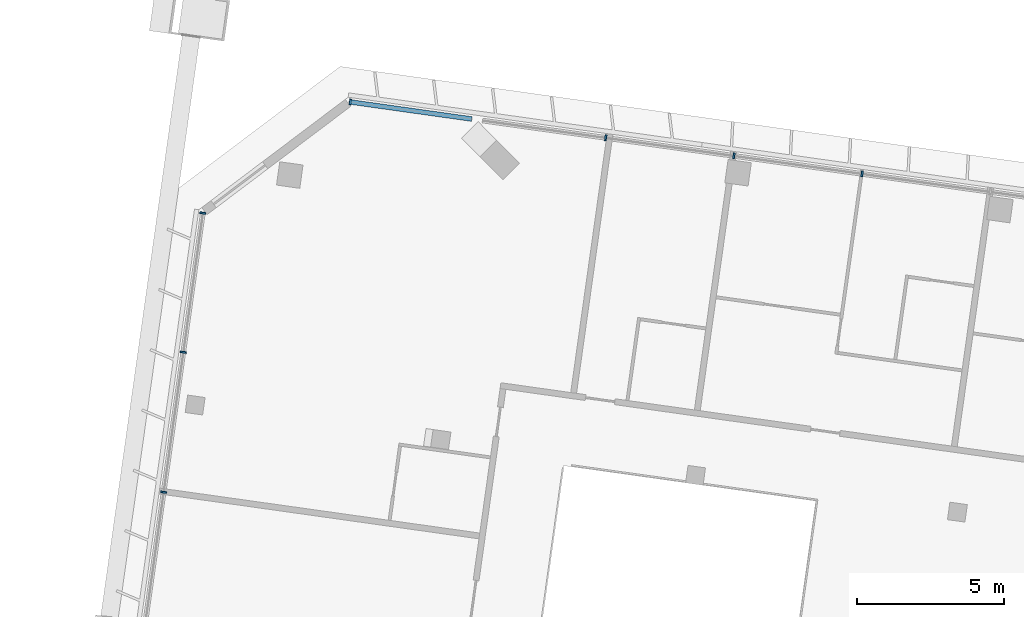
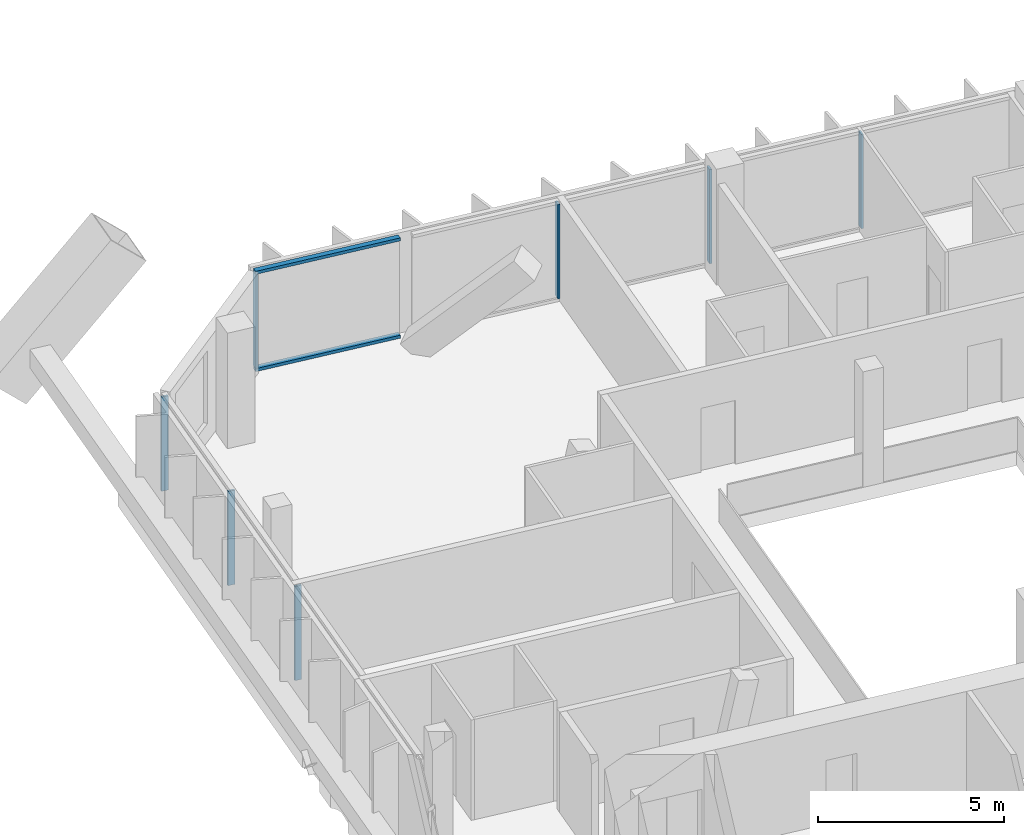
# One storey, part 6 of 29: 9 members, 2 elements without a shape of their own.
"""IFC4 building model written with IfcOpenShell, lengths in metres."""

from ifc_helpers import new_model, si_unit, direction, frame, origin, origin_2d, place, context, subcontext, project, spatial, rectangle, extrude, material, material_profile, profile_set, type_object, element, aggregate, save


model = new_model("IFC4")

# Units and contexts
model_context = context("Model", 3, precision=1e-05, world=origin(), true_north=direction((0.0, 1.0)))
body_context = subcontext(model_context, "Body", "Model", "MODEL_VIEW")
ifc_project = project(units=[si_unit("LENGTHUNIT", "METRE"), si_unit("AREAUNIT", "SQUARE_METRE"), si_unit("VOLUMEUNIT", "CUBIC_METRE"), si_unit("PLANEANGLEUNIT", "RADIAN"), si_unit("MASSUNIT", "GRAM", prefix="KILO")], contexts=[model_context])

# Site, building, storey
site_placement = place(None, origin())
site = spatial("IfcSite", under=ifc_project, at=site_placement, CompositionType="ELEMENT")
building_placement = place(site_placement, origin())
building = spatial("IfcBuilding", under=site, at=building_placement, Name="Mirante Cascada Hotel Towers", CompositionType="ELEMENT")
storey_placement = place(building_placement, frame((0.0, 0.0, 206.8)))
storey = spatial("IfcBuildingStorey", under=building, at=storey_placement, Name="L49", CompositionType="ELEMENT", Elevation=206.8)

# Curtain wall, members
ifc_material_1 = material(Name="Aluminium mullion and transom frame with clear laminated glass", Category="aluminium")
curtain_wall_type_1 = type_object("IfcCurtainWallType", Name="Ribbon curtain wall ECW1", PredefinedType="NOTDEFINED", material=ifc_material_1)
curtain_wall_1_placement = place(storey_placement, origin())
curtain_wall_1 = element("IfcCurtainWall", 1, at=curtain_wall_1_placement, inside=storey, type_object=curtain_wall_type_1, Name="Front ribbon wall T1 L49", PredefinedType="NOTDEFINED")
ifc_material_2 = material(Name="Anodised aluminium extrusion", Category="aluminium")
ifc_material_profile_1 = material_profile(ifc_material_2, rectangle(XDim=0.2, YDim=0.065, at=origin_2d()), Name="ECW1 MULLION 65x200")
ifc_profile_set_1 = profile_set([ifc_material_profile_1], Name="Anodised aluminium extrusion")
member_type_1 = type_object("IfcMemberType", Name="ECW1 mullion 65x200", PredefinedType="MULLION", material=ifc_profile_set_1)
member_1_placement = place(storey_placement, frame((-76.3011, 23.5425, 0.1), z_axis=(0.0, 0.0, 1.0), x_axis=(0.1391731, 0.9902681, 0.0)))
member_1 = element("IfcMember", 2, at=member_1_placement, type_object=member_type_1, Name="ECW1 mullion 1", PredefinedType="MULLION", context=body_context, shape_type="SweptSolid", body=[
    extrude(rectangle(XDim=0.2, YDim=0.065, at=origin_2d()), origin(), (0.0, 0.0, 1.0), 3.1),
])
member_2_placement = place(storey_placement, frame((-67.6077, 22.3207, 0.1), z_axis=(0.0, 0.0, 1.0), x_axis=(0.1391731, 0.9902681, 0.0)))
member_2 = element("IfcMember", 3, at=member_2_placement, type_object=member_type_1, Name="ECW1 mullion 3", PredefinedType="MULLION", context=body_context, shape_type="SweptSolid", body=[
    extrude(rectangle(XDim=0.2, YDim=0.065, at=origin_2d()), origin(), (0.0, 0.0, 1.0), 3.1),
])
member_3_placement = place(storey_placement, frame((-63.2449, 21.7075, 0.1), z_axis=(0.0, 0.0, 1.0), x_axis=(0.1391731, 0.9902681, 0.0)))
member_3 = element("IfcMember", 4, at=member_3_placement, type_object=member_type_1, Name="ECW1 mullion 4", PredefinedType="MULLION", context=body_context, shape_type="SweptSolid", body=[
    extrude(rectangle(XDim=0.2, YDim=0.065, at=origin_2d()), origin(), (0.0, 0.0, 1.0), 3.1),
])
member_4_placement = place(storey_placement, frame((-58.8821, 21.0944, 0.1), z_axis=(0.0, 0.0, 1.0), x_axis=(0.1391731, 0.9902681, 0.0)))
member_4 = element("IfcMember", 5, at=member_4_placement, type_object=member_type_1, Name="ECW1 mullion 5", PredefinedType="MULLION", context=body_context, shape_type="SweptSolid", body=[
    extrude(rectangle(XDim=0.2, YDim=0.065, at=origin_2d()), origin(), (0.0, 0.0, 1.0), 3.1),
])
ifc_material_3 = material(Name="Anodised aluminium extrusion", Category="aluminium")
ifc_material_profile_2 = material_profile(ifc_material_3, rectangle(XDim=0.16, YDim=0.1, at=origin_2d()), Name="ECW1 TRANSOM 100x160")
ifc_profile_set_2 = profile_set([ifc_material_profile_2], Name="Anodised aluminium extrusion")
member_type_2 = type_object("IfcMemberType", Name="ECW1 transom 100x160", PredefinedType="USERDEFINED", material=ifc_profile_set_2)
member_5_placement = place(storey_placement, frame((-76.3333, 23.547, 0.05), z_axis=(0.9902683, -0.1391714, 0.0), x_axis=(0.1391714, 0.9902683, 0.0)))
member_5 = element("IfcMember", 6, at=member_5_placement, type_object=member_type_2, Name="ECW1 sill transom", ObjectType="TRANSOM", PredefinedType="USERDEFINED", context=body_context, shape_type="SweptSolid", body=[
    extrude(rectangle(XDim=0.16, YDim=0.1, at=origin_2d()), origin(), (0.0, 0.0, 1.0), 4.207),
])
member_6_placement = place(storey_placement, frame((-76.3333, 23.547, 3.25), z_axis=(0.9902683, -0.1391714, 0.0), x_axis=(0.1391714, 0.9902683, 0.0)))
member_6 = element("IfcMember", 7, at=member_6_placement, type_object=member_type_2, Name="ECW1 head transom", ObjectType="TRANSOM", PredefinedType="USERDEFINED", context=body_context, shape_type="SweptSolid", body=[
    extrude(rectangle(XDim=0.16, YDim=0.1, at=origin_2d()), origin(), (0.0, 0.0, 1.0), 4.207),
])
aggregate(curtain_wall_1, [member_5, member_6, member_1, member_2, member_3, member_4])

ifc_material_4 = material(Name="Aluminium mullion and transom frame with clear laminated glass", Category="aluminium")
curtain_wall_type_2 = type_object("IfcCurtainWallType", Name="End ribbon curtain wall ECW2", PredefinedType="NOTDEFINED", material=ifc_material_4)
curtain_wall_2_placement = place(storey_placement, origin())
curtain_wall_2 = element("IfcCurtainWall", 8, at=curtain_wall_2_placement, inside=storey, type_object=curtain_wall_type_2, Name="Outer end wall T1 L49", PredefinedType="NOTDEFINED")
ifc_material_5 = material(Name="Anodised aluminium extrusion", Category="aluminium")
ifc_material_profile_3 = material_profile(ifc_material_5, rectangle(XDim=0.2, YDim=0.065, at=origin_2d()), Name="ECW2 MULLION 65x200")
ifc_profile_set_3 = profile_set([ifc_material_profile_3], Name="Anodised aluminium extrusion")
member_type_3 = type_object("IfcMemberType", Name="ECW2 mullion 65x200", PredefinedType="MULLION", material=ifc_profile_set_3)
member_7_placement = place(storey_placement, frame((-82.6561, 10.2603, 0.1), z_axis=(0.0, 0.0, 1.0), x_axis=(-0.9902681, 0.1391731, 0.0)))
member_7 = element("IfcMember", 9, at=member_7_placement, type_object=member_type_3, Name="ECW2 mullion 5", PredefinedType="MULLION", context=body_context, shape_type="SweptSolid", body=[
    extrude(rectangle(XDim=0.2, YDim=0.065, at=origin_2d()), origin(), (0.0, 0.0, 1.0), 3.1),
])
member_8_placement = place(storey_placement, frame((-81.9864, 15.026, 0.1), z_axis=(0.0, 0.0, 1.0), x_axis=(-0.9902681, 0.1391731, 0.0)))
member_8 = element("IfcMember", 10, at=member_8_placement, type_object=member_type_3, Name="ECW2 mullion 6", PredefinedType="MULLION", context=body_context, shape_type="SweptSolid", body=[
    extrude(rectangle(XDim=0.2, YDim=0.065, at=origin_2d()), origin(), (0.0, 0.0, 1.0), 3.1),
])
member_9_placement = place(storey_placement, frame((-81.3211, 19.7596, 0.1), z_axis=(0.0, 0.0, 1.0), x_axis=(-0.9902681, 0.1391731, 0.0)))
member_9 = element("IfcMember", 11, at=member_9_placement, type_object=member_type_3, Name="ECW2 mullion 7", PredefinedType="MULLION", context=body_context, shape_type="SweptSolid", body=[
    extrude(rectangle(XDim=0.2, YDim=0.065, at=origin_2d()), origin(), (0.0, 0.0, 1.0), 3.1),
])
aggregate(curtain_wall_2, [member_7, member_8, member_9])

save(model, "model.ifc")
